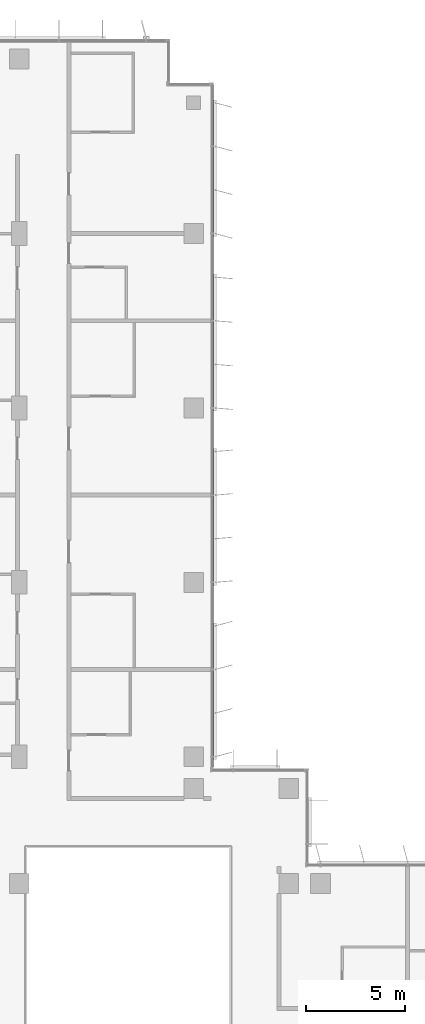
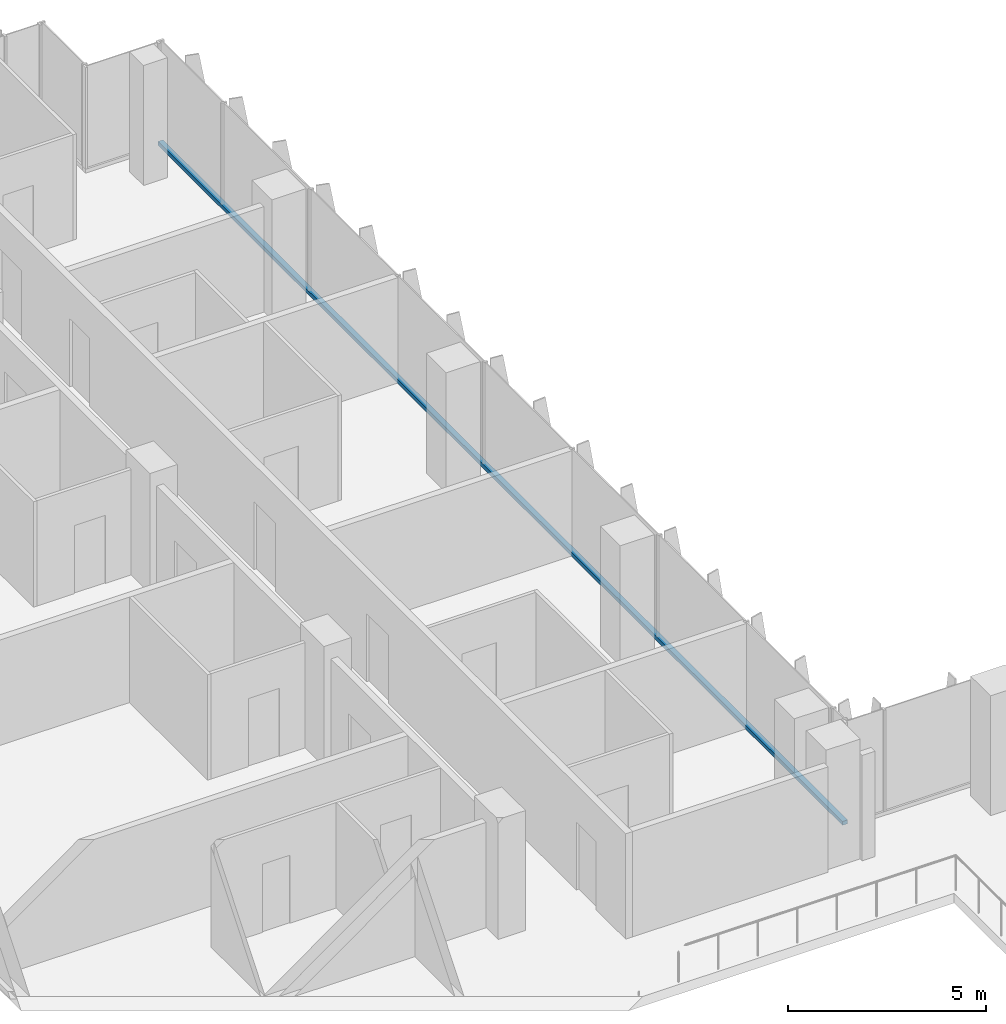
# One storey, part 6 of 20: 1 member, 1 element without a shape of its own.
"""IFC4 building model written with IfcOpenShell, lengths in metres."""

from ifc_helpers import new_model, si_unit, direction, frame, origin, origin_2d, place, context, subcontext, project, spatial, rectangle, extrude, material, material_profile, profile_set, type_object, element, aggregate, save


model = new_model("IFC4")

# Units and contexts
model_context = context("Model", 3, precision=1e-05, world=origin(), true_north=direction((0.0, 1.0)))
body_context = subcontext(model_context, "Body", "Model", "MODEL_VIEW")
ifc_project = project(units=[si_unit("LENGTHUNIT", "METRE"), si_unit("AREAUNIT", "SQUARE_METRE"), si_unit("VOLUMEUNIT", "CUBIC_METRE"), si_unit("PLANEANGLEUNIT", "RADIAN"), si_unit("MASSUNIT", "GRAM", prefix="KILO")], contexts=[model_context])

# Site, building, storey
site_placement = place(None, origin())
site = spatial("IfcSite", under=ifc_project, at=site_placement, CompositionType="ELEMENT")
building_placement = place(site_placement, origin())
building = spatial("IfcBuilding", under=site, at=building_placement, Name="Kemantara Hotel Tower", CompositionType="ELEMENT")
storey_placement = place(building_placement, frame((0.0, 0.0, 190.10009765625)))
storey = spatial("IfcBuildingStorey", under=building, at=storey_placement, Name="L47", CompositionType="ELEMENT", Elevation=190.10009765625)

# Curtain wall, member
ifc_material_1 = material(Name="Low-E tinted double insulated glass 36 mm", Category="glass")
curtain_wall_type = type_object("IfcCurtainWallType", Name="TOWER CURTAIN WALL, FRONT FACES", PredefinedType="USERDEFINED", material=ifc_material_1)
curtain_wall_placement = place(storey_placement, origin())
curtain_wall = element("IfcCurtainWall", 1, at=curtain_wall_placement, inside=storey, type_object=curtain_wall_type, Name="CW4 L47 T3-R17-1", ObjectType="TOWER CURTAIN WALL, FRONT FACES", PredefinedType="USERDEFINED")
ifc_material_2 = material(Name="Aluminium 6063-T6 bronze anodised", Category="aluminium")
ifc_material_profile = material_profile(ifc_material_2, rectangle(XDim=0.14990234375, YDim=0.1201171875, at=origin_2d()), Name="TOWER CURTAIN WALL, FRONT FACES TRANSOM")
ifc_profile_set = profile_set([ifc_material_profile], Name="Aluminium 6063-T6 bronze anodised")
member_type = type_object("IfcMemberType", Name="TOWER CURTAIN WALL, FRONT FACES TRANSOM", PredefinedType="USERDEFINED", material=ifc_profile_set)
member_placement = place(storey_placement, frame((21.925048828125, 26.800048828125, 0.059814453125), z_axis=(0.0, 1.0, 0.0), x_axis=(-1.0, 0.0, 0.0)))
member = element("IfcMember", 2, at=member_placement, type_object=member_type, Name="CW4 sill transom T3-R17-1", ObjectType="TRANSOM", PredefinedType="USERDEFINED", context=body_context, shape_type="SweptSolid", body=[
    extrude(rectangle(XDim=0.14990234375, YDim=0.1201171875, at=origin_2d()), origin(), (0.0, 0.0, 1.0), 34.599853515625),
])
aggregate(curtain_wall, [member])

save(model, "model.ifc")
